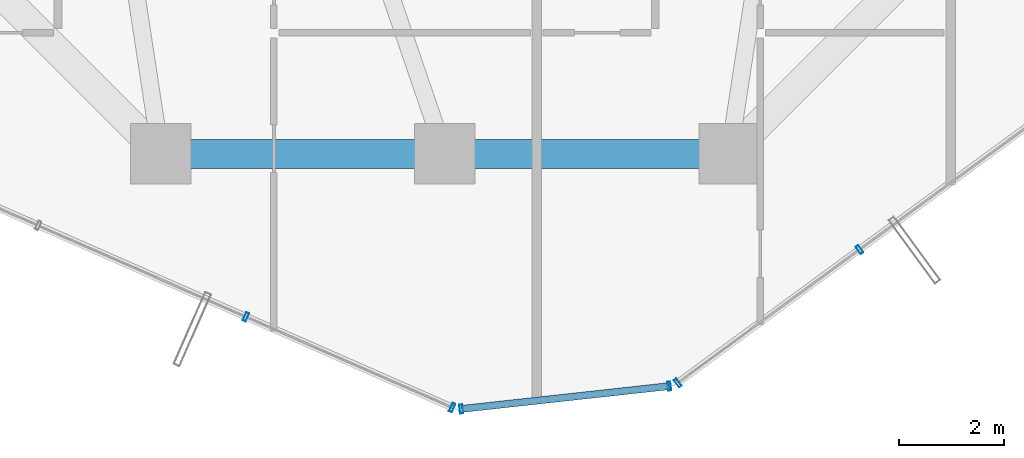
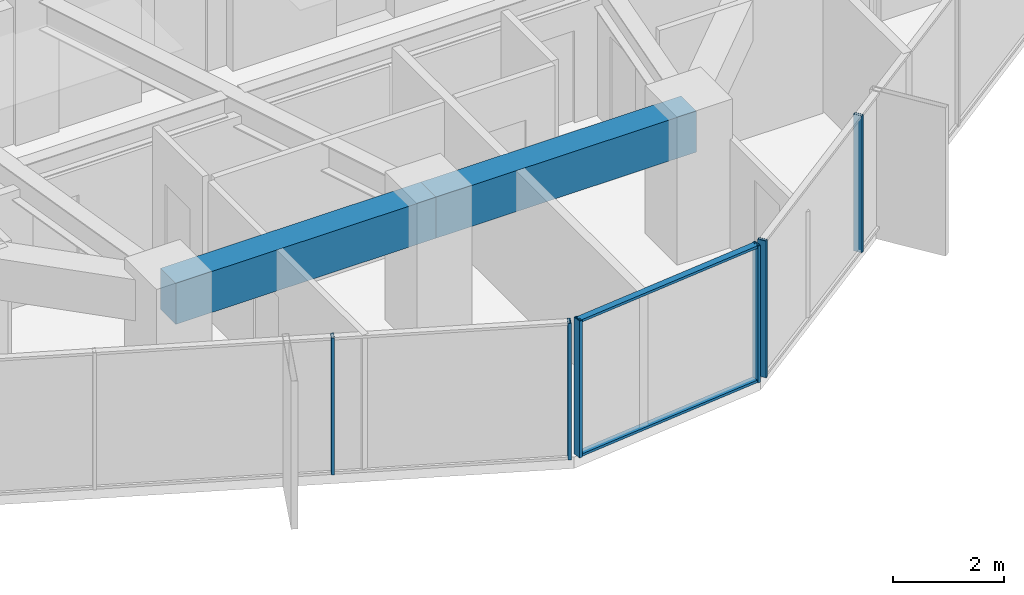
# One storey, part 6 of 34: 8 members, 2 beams, 3 elements without a shape of their own.
"""IFC4 building model written with IfcOpenShell, lengths in metres."""

from ifc_helpers import new_model, si_unit, direction, frame, origin, origin_2d, place, context, subcontext, project, spatial, rectangle, hollow_rectangle, extrude, source, transform, mapped, material, layer, layer_set, material_profile, profile_set, type_object, element, aggregate, save


model = new_model("IFC4")

# Units and contexts
model_context = context("Model", 3, precision=1e-05, world=origin(), true_north=direction((0.0, 1.0)))
body_context = subcontext(model_context, "Body", "Model", "MODEL_VIEW")
ifc_project = project(units=[si_unit("LENGTHUNIT", "METRE"), si_unit("AREAUNIT", "SQUARE_METRE"), si_unit("VOLUMEUNIT", "CUBIC_METRE"), si_unit("PLANEANGLEUNIT", "RADIAN"), si_unit("MASSUNIT", "GRAM", prefix="KILO")], contexts=[model_context])

# Site, building, storey
site_placement = place(None, origin())
site = spatial("IfcSite", under=ifc_project, at=site_placement, CompositionType="ELEMENT")
building_placement = place(site_placement, origin())
building = spatial("IfcBuilding", under=site, at=building_placement, Name="Veraguas Prism Commons", CompositionType="ELEMENT")
storey_placement = place(building_placement, frame((0.0, 0.0, 149.0)))
storey = spatial("IfcBuildingStorey", under=building, at=storey_placement, Name="L42", CompositionType="ELEMENT", Elevation=149.0)

# Beams
ifc_material_1 = material(Name="Concrete C50/60", Category="concrete")
ifc_material_profile_1 = material_profile(ifc_material_1, rectangle(XDim=0.550048828125, YDim=0.89990234375, at=origin_2d()), Name="RC550X900")
ifc_profile_set_1 = profile_set([ifc_material_profile_1], Name="Concrete C50/60")
beam_type = type_object("IfcBeamType", Name="Perimeter Spandrel Lower RC 550x900", PredefinedType="SPANDREL", material=ifc_profile_set_1)
for number, where, z_axis, x_axis, name in (
    (1, (18.60009765625, 7.800048828125, 2.550048828125), (1.0, 0.0, 0.0), (0.0, 1.0, 0.0), "Perimeter Spandrel Beam L42-SP10"),
    (2, (24.0, 7.800048828125, 2.550048828125), (1.0, 0.0, 0.0), (0.0, 1.0, 0.0), "Perimeter Spandrel Beam L42-SP11"),
):
    element("IfcBeam", number, at=place(storey_placement, frame(where, z_axis=z_axis, x_axis=x_axis)), inside=storey, type_object=beam_type, Name=name, PredefinedType="SPANDREL", context=body_context, shape_type="SweptSolid", body=[
        extrude(rectangle(XDim=0.550048828125, YDim=0.89990234375, at=origin_2d()), origin(), (0.0, 0.0, 1.0), 5.39990234375),
    ])

# Curtain wall, members
ifc_material_2 = material(Name="Anodised aluminium EN AW-6063 T6", Category="aluminium")
ifc_layer = layer(ifc_material_2, 0.169921875, Name="Unitised Flush Curtain Wall Zone 2", Category="aluminium")
ifc_layer_set = layer_set([ifc_layer], Name="Anodised aluminium EN AW-6063 T6")
curtain_wall_type = type_object("IfcCurtainWallType", Name="Unitised Flush Curtain Wall Zone 2", PredefinedType="NOTDEFINED", material=ifc_layer_set)
curtain_wall_1_placement = place(storey_placement, origin())
curtain_wall_1 = element("IfcCurtainWall", 3, at=curtain_wall_1_placement, inside=storey, type_object=curtain_wall_type, Name="Tower Facade Curtain Wall L42-F4", PredefinedType="NOTDEFINED")
ifc_material_profile_2 = material_profile(ifc_material_2, hollow_rectangle(XDim=0.06005859375, YDim=0.169921875, WallThickness=0.00390625, at=origin_2d()), Name="AL60X170X4")
ifc_profile_set_2 = profile_set([ifc_material_profile_2], Name="Anodised aluminium EN AW-6063 T6")
member_type_1 = type_object("IfcMemberType", Name="Curtain Wall Mullion Lower AL 60x170x4", PredefinedType="MULLION", material=ifc_profile_set_2)
shared_shape_1 = source(origin(), body_context, "Body", "SweptSolid", [
    extrude(hollow_rectangle(XDim=0.06005859375, YDim=0.169921875, WallThickness=0.00390625, at=origin_2d()), origin(), (0.0, 0.0, 1.0), 3.0),
])
member_1_placement = place(storey_placement, frame((20.221435546875, 4.7060546875, 0.0), z_axis=(0.0, 0.0, 1.0), x_axis=(0.915385270935, -0.402578943507, 0.0)))
member_1 = element("IfcMember", 4, at=member_1_placement, type_object=member_type_1, Name="CW-Z2 Mullion 4", PredefinedType="MULLION", context=body_context, shape_type="MappedRepresentation", body=[
    mapped(shared_shape_1, transform((0.0, 0.0, 0.0), scale=1.0)),
])
member_2_placement = place(storey_placement, frame((24.137939453125, 2.983642578125, 0.0), z_axis=(0.0, 0.0, 1.0), x_axis=(0.915385270935, -0.402578943507, 0.0)))
member_2 = element("IfcMember", 5, at=member_2_placement, type_object=member_type_1, Name="CW-Z2 Mullion 5", PredefinedType="MULLION", context=body_context, shape_type="MappedRepresentation", body=[
    mapped(shared_shape_1, transform((0.0, 0.0, 0.0), scale=1.0)),
])
aggregate(curtain_wall_1, [member_1, member_2])

curtain_wall_2_placement = place(storey_placement, origin())
curtain_wall_2 = element("IfcCurtainWall", 6, at=curtain_wall_2_placement, inside=storey, type_object=curtain_wall_type, Name="Tower Facade Curtain Wall L42-F5", PredefinedType="NOTDEFINED")
member_3_placement = place(storey_placement, frame((28.42138671875, 3.45361328125, 0.0), z_axis=(0.0, 0.0, 1.0), x_axis=(0.806343453529, 0.591447575826, 0.0)))
member_3 = element("IfcMember", 7, at=member_3_placement, type_object=member_type_1, Name="CW-Z2 Mullion 1", PredefinedType="MULLION", context=body_context, shape_type="MappedRepresentation", body=[
    mapped(shared_shape_1, transform((0.0, 0.0, 0.0), scale=1.0)),
])
member_4_placement = place(storey_placement, frame((31.871337890625, 5.984130859375, 0.0), z_axis=(0.0, 0.0, 1.0), x_axis=(0.806343453529, 0.591447575826, 0.0)))
member_4 = element("IfcMember", 8, at=member_4_placement, type_object=member_type_1, Name="CW-Z2 Mullion 2", PredefinedType="MULLION", context=body_context, shape_type="MappedRepresentation", body=[
    mapped(shared_shape_1, transform((0.0, 0.0, 0.0), scale=1.0)),
])
aggregate(curtain_wall_2, [member_3, member_4])

curtain_wall_3_placement = place(storey_placement, origin())
curtain_wall_3 = element("IfcCurtainWall", 9, at=curtain_wall_3_placement, inside=storey, type_object=curtain_wall_type, Name="Chamfer Curtain Wall L42-C5", PredefinedType="NOTDEFINED")
member_5_placement = place(storey_placement, frame((24.309814453125, 2.957275390625, 0.0), z_axis=(0.0, 0.0, 1.0), x_axis=(0.994034276859, 0.10906812747, 0.0)))
member_5 = element("IfcMember", 10, at=member_5_placement, type_object=member_type_1, Name="CW-Z2 Mullion 1", PredefinedType="MULLION", context=body_context, shape_type="MappedRepresentation", body=[
    mapped(shared_shape_1, transform((0.0, 0.0, 0.0), scale=1.0)),
])
member_6_placement = place(storey_placement, frame((28.25927734375, 3.390625, 0.0), z_axis=(0.0, 0.0, 1.0), x_axis=(0.994034276859, 0.10906812747, 0.0)))
member_6 = element("IfcMember", 11, at=member_6_placement, type_object=member_type_1, Name="CW-Z2 Mullion 2", PredefinedType="MULLION", context=body_context, shape_type="MappedRepresentation", body=[
    mapped(shared_shape_1, transform((0.0, 0.0, 0.0), scale=1.0)),
])
ifc_material_profile_3 = material_profile(ifc_material_2, hollow_rectangle(XDim=0.054931640625, YDim=0.135009765625, WallThickness=0.0029296875, at=origin_2d()), Name="AL55X135X3")
ifc_profile_set_3 = profile_set([ifc_material_profile_3], Name="Anodised aluminium EN AW-6063 T6")
member_type_2 = type_object("IfcMemberType", Name="Curtain Wall Transom Standard AL 55x135x3", PredefinedType="USERDEFINED", material=ifc_profile_set_3)
shared_shape_2 = source(origin(), body_context, "Body", "SweptSolid", [
    extrude(hollow_rectangle(XDim=0.054931640625, YDim=0.135009765625, WallThickness=0.0029296875, at=origin_2d()), origin(), (0.0, 0.0, 1.0), 3.97314453125),
])
member_7_placement = place(storey_placement, frame((24.309814453125, 2.957275390625, 0.027587890625), z_axis=(0.994034171347, 0.109069089086, 0.0), x_axis=(0.0, 0.0, 1.0)))
member_7 = element("IfcMember", 12, at=member_7_placement, type_object=member_type_2, Name="CW-Z2 Transom 1", ObjectType="TRANSOM", PredefinedType="USERDEFINED", context=body_context, shape_type="MappedRepresentation", body=[
    mapped(shared_shape_2, transform((0.0, 0.0, 0.0), scale=1.0)),
])
member_8_placement = place(storey_placement, frame((24.309814453125, 2.957275390625, 2.972412109375), z_axis=(0.994034171347, 0.109069089086, 0.0), x_axis=(0.0, 0.0, 1.0)))
member_8 = element("IfcMember", 13, at=member_8_placement, type_object=member_type_2, Name="CW-Z2 Transom 2", ObjectType="TRANSOM", PredefinedType="USERDEFINED", context=body_context, shape_type="MappedRepresentation", body=[
    mapped(shared_shape_2, transform((0.0, 0.0, 0.0), scale=1.0)),
])
aggregate(curtain_wall_3, [member_5, member_6, member_7, member_8])

save(model, "model.ifc")
